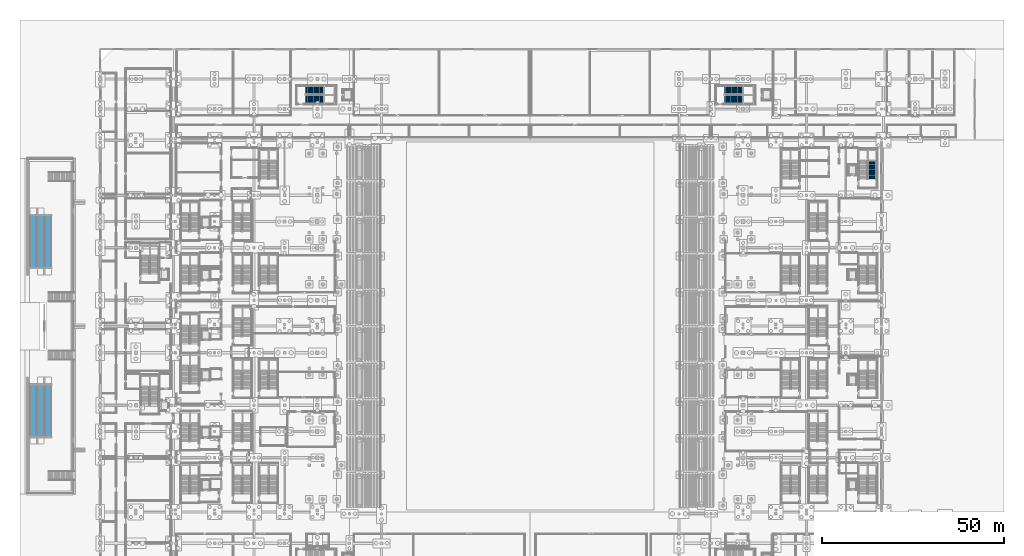
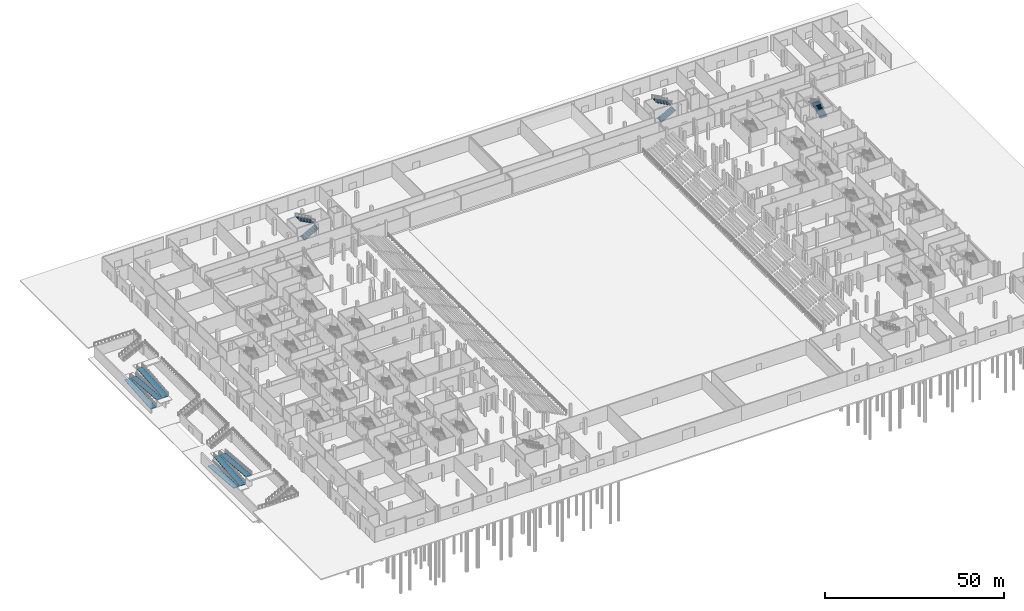
# One storey, part 55 of 89: 6 ramp flights, 5 stair flights, 9 elements without a shape of their own.
"""IFC4 building model written with IfcOpenShell, lengths in metres."""

from ifc_helpers import new_model, si_unit, direction, frame, origin, place, context, subcontext, project, spatial, polyline, outline, extrude, material, layer, layer_set, type_object, element, aggregate, save


model = new_model("IFC4")

# Units and contexts
model_context = context("Model", 3, precision=1e-05, world=origin(), true_north=direction((0.0, 1.0)))
body_context = subcontext(model_context, "Body", "Model", "MODEL_VIEW")
ifc_project = project(units=[si_unit("LENGTHUNIT", "METRE"), si_unit("AREAUNIT", "SQUARE_METRE"), si_unit("VOLUMEUNIT", "CUBIC_METRE"), si_unit("PLANEANGLEUNIT", "RADIAN"), si_unit("MASSUNIT", "GRAM", prefix="KILO")], contexts=[model_context])

# Site, building, storey
site_placement = place(None, origin())
site = spatial("IfcSite", under=ifc_project, at=site_placement, CompositionType="ELEMENT")
building_placement = place(site_placement, origin())
building = spatial("IfcBuilding", under=site, at=building_placement, Name="Koshinbarg Plaza Stadium", CompositionType="ELEMENT")
storey_placement = place(building_placement, origin())
storey = spatial("IfcBuildingStorey", under=building, at=storey_placement, Name="L00", CompositionType="ELEMENT", Elevation=0.0)

# Stair, stair flight
ifc_material = material(Name="Concrete C35/45", Category="concrete")
stair_type = type_object("IfcStairType", Name="ST-CORE-54", PredefinedType="HALF_TURN_STAIR", material=ifc_material)
stair_1_placement = place(storey_placement, origin())
stair_1 = element("IfcStair", 1, at=stair_1_placement, inside=storey, type_object=stair_type, Name="L00 Protected Exit Stair C10", PredefinedType="HALF_TURN_STAIR")
stair_flight_type = type_object("IfcStairFlightType", Name="SFL-CORE-54", PredefinedType="STRAIGHT", material=ifc_material)
stair_flight_1_placement = place(storey_placement, frame((215.889892578125, 116.360107421875, 0.0), z_axis=(0.0, 0.0, 1.0), x_axis=(0.0, 1.0, 0.0)))
stair_flight_1 = element("IfcStairFlight", 2, at=stair_flight_1_placement, type_object=stair_flight_type, Name="L00 Protected Exit Stair C10 flight 103", NumberOfRisers=17, NumberOfTreads=16, PredefinedType="STRAIGHT", RiserHeight=0.158823529, TreadLength=0.3, context=body_context, shape_type="SweptSolid", body=[
    extrude(outline(polyline([(0.0, 0.0), (0.0, 0.158935546875), (0.300048828125, 0.158935546875), (0.300048828125, 0.317626953125), (0.60009765625, 0.317626953125), (0.60009765625, 0.4765625), (0.89990234375, 0.4765625), (0.89990234375, 0.63525390625), (1.199951171875, 0.63525390625), (1.199951171875, 0.794189453125), (1.5, 0.794189453125), (1.5, 0.952880859375), (1.800048828125, 0.952880859375), (1.800048828125, 1.11181640625), (2.10009765625, 1.11181640625), (2.10009765625, 1.2705078125), (2.39990234375, 1.2705078125), (2.39990234375, 1.429443359375), (2.699951171875, 1.429443359375), (2.699951171875, 1.588134765625), (3.0, 1.588134765625), (3.0, 1.7470703125), (3.300048828125, 1.7470703125), (3.300048828125, 1.90576171875), (3.60009765625, 1.90576171875), (3.60009765625, 2.064697265625), (3.89990234375, 2.064697265625), (3.89990234375, 2.2236328125), (4.199951171875, 2.2236328125), (4.199951171875, 2.38232421875), (4.5, 2.38232421875), (4.5, 2.541259765625), (4.800048828125, 2.541259765625), (4.800048828125, 2.699951171875), (4.800048828125, 2.37158203125), (0.3203125, 0.0), (0.0, 0.0)])), frame((0.0, 1.18017578125, 0.0), z_axis=(0.0, -1.0, 0.0), x_axis=(1.0, 0.0, 0.0)), (0.0, 0.0, 1.0), 2.360107421875),
])
aggregate(stair_1, [stair_flight_1])

# Stair, stair flights
stair_2_placement = place(storey_placement, origin())
stair_2 = element("IfcStair", 3, at=stair_2_placement, inside=storey, type_object=stair_type, Name="L00 Protected Exit Stair C11", PredefinedType="HALF_TURN_STAIR")
stair_flight_2_placement = place(storey_placement, frame((60.360107421875, 138.179931640625, 0.0), z_axis=(0.0, 0.0, 1.0), x_axis=(1.0, 0.0, 0.0)))
stair_flight_2 = element("IfcStairFlight", 4, at=stair_flight_2_placement, type_object=stair_flight_type, Name="L00 Protected Exit Stair C11 flight 113", NumberOfRisers=17, NumberOfTreads=16, PredefinedType="STRAIGHT", RiserHeight=0.158823529, TreadLength=0.3, context=body_context, shape_type="SweptSolid", body=[
    extrude(outline(polyline([(0.0, 0.0), (0.0, 0.158935546875), (0.300048828125, 0.158935546875), (0.300048828125, 0.317626953125), (0.60009765625, 0.317626953125), (0.60009765625, 0.4765625), (0.89990234375, 0.4765625), (0.89990234375, 0.63525390625), (1.199951171875, 0.63525390625), (1.199951171875, 0.794189453125), (1.5, 0.794189453125), (1.5, 0.952880859375), (1.800048828125, 0.952880859375), (1.800048828125, 1.11181640625), (2.10009765625, 1.11181640625), (2.10009765625, 1.2705078125), (2.39990234375, 1.2705078125), (2.39990234375, 1.429443359375), (2.699951171875, 1.429443359375), (2.699951171875, 1.588134765625), (3.0, 1.588134765625), (3.0, 1.7470703125), (3.300048828125, 1.7470703125), (3.300048828125, 1.90576171875), (3.60009765625, 1.90576171875), (3.60009765625, 2.064697265625), (3.89990234375, 2.064697265625), (3.89990234375, 2.2236328125), (4.199951171875, 2.2236328125), (4.199951171875, 2.38232421875), (4.5, 2.38232421875), (4.5, 2.541259765625), (4.800048828125, 2.541259765625), (4.800048828125, 2.699951171875), (4.800048828125, 2.37158203125), (0.3203125, 0.0), (0.0, 0.0)])), frame((0.0, 1.18017578125, 0.0), z_axis=(0.0, -1.0, 0.0), x_axis=(1.0, 0.0, 0.0)), (0.0, 0.0, 1.0), 2.360107421875),
])
stair_flight_3_placement = place(storey_placement, frame((65.159912109375, 140.68994140625, 2.699951171875), z_axis=(0.0, 0.0, 1.0), x_axis=(-1.0, 0.0, 0.0)))
stair_flight_3 = element("IfcStairFlight", 5, at=stair_flight_3_placement, type_object=stair_flight_type, Name="L00 Protected Exit Stair C11 flight 114", NumberOfRisers=17, NumberOfTreads=16, PredefinedType="STRAIGHT", RiserHeight=0.158823529, TreadLength=0.3, context=body_context, shape_type="SweptSolid", body=[
    extrude(outline(polyline([(0.0, 0.0), (0.0, 0.158935546875), (0.300048828125, 0.158935546875), (0.300048828125, 0.317626953125), (0.60009765625, 0.317626953125), (0.60009765625, 0.4765625), (0.89990234375, 0.4765625), (0.89990234375, 0.63525390625), (1.199951171875, 0.63525390625), (1.199951171875, 0.794189453125), (1.5, 0.794189453125), (1.5, 0.952880859375), (1.800048828125, 0.952880859375), (1.800048828125, 1.11181640625), (2.10009765625, 1.11181640625), (2.10009765625, 1.2705078125), (2.39990234375, 1.2705078125), (2.39990234375, 1.429443359375), (2.699951171875, 1.429443359375), (2.699951171875, 1.588134765625), (3.0, 1.588134765625), (3.0, 1.7470703125), (3.300048828125, 1.7470703125), (3.300048828125, 1.90576171875), (3.60009765625, 1.90576171875), (3.60009765625, 2.064697265625), (3.89990234375, 2.064697265625), (3.89990234375, 2.2236328125), (4.199951171875, 2.2236328125), (4.199951171875, 2.38232421875), (4.5, 2.38232421875), (4.5, 2.541259765625), (4.800048828125, 2.541259765625), (4.800048828125, 2.699951171875), (4.800048828125, 2.37158203125), (0.3203125, 0.0), (0.0, 0.0)])), frame((0.0, 1.18017578125, 0.0), z_axis=(0.0, -1.0, 0.0), x_axis=(1.0, 0.0, 0.0)), (0.0, 0.0, 1.0), 2.360107421875),
])
aggregate(stair_2, [stair_flight_2, stair_flight_3])

stair_3_placement = place(storey_placement, origin())
stair_3 = element("IfcStair", 6, at=stair_3_placement, inside=storey, type_object=stair_type, Name="L00 Protected Exit Stair C12", PredefinedType="HALF_TURN_STAIR")
stair_flight_4_placement = place(storey_placement, frame((175.360107421875, 138.179931640625, 0.0), z_axis=(0.0, 0.0, 1.0), x_axis=(1.0, 0.0, 0.0)))
stair_flight_4 = element("IfcStairFlight", 7, at=stair_flight_4_placement, type_object=stair_flight_type, Name="L00 Protected Exit Stair C12 flight 119", NumberOfRisers=17, NumberOfTreads=16, PredefinedType="STRAIGHT", RiserHeight=0.158823529, TreadLength=0.3, context=body_context, shape_type="SweptSolid", body=[
    extrude(outline(polyline([(0.0, 0.0), (0.0, 0.158935546875), (0.300048828125, 0.158935546875), (0.300048828125, 0.317626953125), (0.60009765625, 0.317626953125), (0.60009765625, 0.4765625), (0.89990234375, 0.4765625), (0.89990234375, 0.63525390625), (1.199951171875, 0.63525390625), (1.199951171875, 0.794189453125), (1.5, 0.794189453125), (1.5, 0.952880859375), (1.800048828125, 0.952880859375), (1.800048828125, 1.11181640625), (2.10009765625, 1.11181640625), (2.10009765625, 1.2705078125), (2.39990234375, 1.2705078125), (2.39990234375, 1.429443359375), (2.699951171875, 1.429443359375), (2.699951171875, 1.588134765625), (3.0, 1.588134765625), (3.0, 1.7470703125), (3.300048828125, 1.7470703125), (3.300048828125, 1.90576171875), (3.60009765625, 1.90576171875), (3.60009765625, 2.064697265625), (3.89990234375, 2.064697265625), (3.89990234375, 2.2236328125), (4.199951171875, 2.2236328125), (4.199951171875, 2.38232421875), (4.5, 2.38232421875), (4.5, 2.541259765625), (4.800048828125, 2.541259765625), (4.800048828125, 2.699951171875), (4.800048828125, 2.37158203125), (0.3203125, 0.0), (0.0, 0.0)])), frame((0.0, 1.18017578125, 0.0), z_axis=(0.0, -1.0, 0.0), x_axis=(1.0, 0.0, 0.0)), (0.0, 0.0, 1.0), 2.360107421875),
])
stair_flight_5_placement = place(storey_placement, frame((180.159912109375, 140.68994140625, 2.699951171875), z_axis=(0.0, 0.0, 1.0), x_axis=(-1.0, 0.0, 0.0)))
stair_flight_5 = element("IfcStairFlight", 8, at=stair_flight_5_placement, type_object=stair_flight_type, Name="L00 Protected Exit Stair C12 flight 120", NumberOfRisers=17, NumberOfTreads=16, PredefinedType="STRAIGHT", RiserHeight=0.158823529, TreadLength=0.3, context=body_context, shape_type="SweptSolid", body=[
    extrude(outline(polyline([(0.0, 0.0), (0.0, 0.158935546875), (0.300048828125, 0.158935546875), (0.300048828125, 0.317626953125), (0.60009765625, 0.317626953125), (0.60009765625, 0.4765625), (0.89990234375, 0.4765625), (0.89990234375, 0.63525390625), (1.199951171875, 0.63525390625), (1.199951171875, 0.794189453125), (1.5, 0.794189453125), (1.5, 0.952880859375), (1.800048828125, 0.952880859375), (1.800048828125, 1.11181640625), (2.10009765625, 1.11181640625), (2.10009765625, 1.2705078125), (2.39990234375, 1.2705078125), (2.39990234375, 1.429443359375), (2.699951171875, 1.429443359375), (2.699951171875, 1.588134765625), (3.0, 1.588134765625), (3.0, 1.7470703125), (3.300048828125, 1.7470703125), (3.300048828125, 1.90576171875), (3.60009765625, 1.90576171875), (3.60009765625, 2.064697265625), (3.89990234375, 2.064697265625), (3.89990234375, 2.2236328125), (4.199951171875, 2.2236328125), (4.199951171875, 2.38232421875), (4.5, 2.38232421875), (4.5, 2.541259765625), (4.800048828125, 2.541259765625), (4.800048828125, 2.699951171875), (4.800048828125, 2.37158203125), (0.3203125, 0.0), (0.0, 0.0)])), frame((0.0, 1.18017578125, 0.0), z_axis=(0.0, -1.0, 0.0), x_axis=(1.0, 0.0, 0.0)), (0.0, 0.0, 1.0), 2.360107421875),
])
aggregate(stair_3, [stair_flight_4, stair_flight_5])

# Ramp, ramp flight
ramp_type = type_object("IfcRampType", Name="RMP-FORECOURT", PredefinedType="STRAIGHT_RUN_RAMP", material=ifc_material)
ramp_1_placement = place(storey_placement, origin())
ramp_1 = element("IfcRamp", 9, at=ramp_1_placement, inside=storey, type_object=ramp_type, Name="Metro forecourt accessible pedestrian ramp RMP-FC-N1", PredefinedType="STRAIGHT_RUN_RAMP")
ifc_layer = layer(ifc_material, 0.219970703125)
ifc_layer_set = layer_set([ifc_layer], Name="Concrete C35/45")
ramp_flight_type = type_object("IfcRampFlightType", Name="RFL-FORECOURT-220", PredefinedType="STRAIGHT", material=ifc_layer_set)
ramp_flight_1_placement = place(storey_placement, frame((-15.199951171875, 92.0, -3.60009765625), z_axis=(0.0, -0.083059462528, 0.996544592923), x_axis=(1.0, 0.0, 0.0)))
ramp_flight_1 = element("IfcRampFlight", 10, at=ramp_flight_1_placement, type_object=ramp_flight_type, Name="RMP-FC-N1 accessible ramp flight", PredefinedType="STRAIGHT", context=body_context, shape_type="SweptSolid", body=[
    extrude(outline(polyline([(0.0, 0.0), (1.800048828125, 0.0), (1.800048828125, 14.449832396871729), (0.0, 14.449832396871729), (0.0, 0.0)])), origin(), (0.0, 0.0, -1.0), 0.219970703125),
])
aggregate(ramp_1, [ramp_flight_1])

ramp_2_placement = place(storey_placement, origin())
ramp_2 = element("IfcRamp", 11, at=ramp_2_placement, inside=storey, type_object=ramp_type, Name="Metro forecourt accessible pedestrian ramp RMP-FC-N2", PredefinedType="STRAIGHT_RUN_RAMP")
ramp_flight_2_placement = place(storey_placement, frame((-11.39990234375, 106.39990234375, -2.39990234375), z_axis=(0.0, 0.083042683313, 0.996545991286), x_axis=(-1.0, 0.0, 0.0)))
ramp_flight_2 = element("IfcRampFlight", 12, at=ramp_flight_2_placement, type_object=ramp_flight_type, Name="RMP-FC-N2 accessible ramp flight", PredefinedType="STRAIGHT", context=body_context, shape_type="SweptSolid", body=[
    extrude(outline(polyline([(0.0, 0.0), (1.800048828125, 0.0), (1.800048828125, 14.449812120730876), (0.0, 14.449812120730876), (0.0, 0.0)])), origin(), (0.0, 0.0, -1.0), 0.219970703125),
])
aggregate(ramp_2, [ramp_flight_2])

ramp_3_placement = place(storey_placement, origin())
ramp_3 = element("IfcRamp", 13, at=ramp_3_placement, inside=storey, type_object=ramp_type, Name="Metro forecourt accessible pedestrian ramp RMP-FC-N3", PredefinedType="STRAIGHT_RUN_RAMP")
ramp_flight_3_placement = place(storey_placement, frame((-11.199951171875, 92.0, -1.199951171875), z_axis=(0.0, -0.083042683313, 0.996545991286), x_axis=(1.0, 0.0, 0.0)))
ramp_flight_3 = element("IfcRampFlight", 14, at=ramp_flight_3_placement, type_object=ramp_flight_type, Name="RMP-FC-N3 accessible ramp flight", PredefinedType="STRAIGHT", context=body_context, shape_type="SweptSolid", body=[
    extrude(outline(polyline([(0.0, 0.0), (1.800048828125, 0.0), (1.800048828125, 14.449812120730876), (0.0, 14.449812120730876), (0.0, 0.0)])), origin(), (0.0, 0.0, -1.0), 0.219970703125),
])
aggregate(ramp_3, [ramp_flight_3])

ramp_4_placement = place(storey_placement, origin())
ramp_4 = element("IfcRamp", 15, at=ramp_4_placement, inside=storey, type_object=ramp_type, Name="Metro forecourt accessible pedestrian ramp RMP-FC-S1", PredefinedType="STRAIGHT_RUN_RAMP")
ramp_flight_4_placement = place(storey_placement, frame((-13.39990234375, 60.0, -3.60009765625), z_axis=(0.0, 0.083059462528, 0.996544592923), x_axis=(-1.0, 0.0, 0.0)))
ramp_flight_4 = element("IfcRampFlight", 16, at=ramp_flight_4_placement, type_object=ramp_flight_type, Name="RMP-FC-S1 accessible ramp flight", PredefinedType="STRAIGHT", context=body_context, shape_type="SweptSolid", body=[
    extrude(outline(polyline([(0.0, 0.0), (1.800048828125, 0.0), (1.800048828125, 14.449832396871729), (0.0, 14.449832396871729), (0.0, 0.0)])), origin(), (0.0, 0.0, -1.0), 0.219970703125),
])
aggregate(ramp_4, [ramp_flight_4])

ramp_5_placement = place(storey_placement, origin())
ramp_5 = element("IfcRamp", 17, at=ramp_5_placement, inside=storey, type_object=ramp_type, Name="Metro forecourt accessible pedestrian ramp RMP-FC-S2", PredefinedType="STRAIGHT_RUN_RAMP")
ramp_flight_5_placement = place(storey_placement, frame((-13.199951171875, 45.60009765625, -2.39990234375), z_axis=(0.0, -0.083042683313, 0.996545991286), x_axis=(1.0, 0.0, 0.0)))
ramp_flight_5 = element("IfcRampFlight", 18, at=ramp_flight_5_placement, type_object=ramp_flight_type, Name="RMP-FC-S2 accessible ramp flight", PredefinedType="STRAIGHT", context=body_context, shape_type="SweptSolid", body=[
    extrude(outline(polyline([(0.0, 0.0), (1.800048828125, 0.0), (1.800048828125, 14.449812120730876), (0.0, 14.449812120730876), (0.0, 0.0)])), origin(), (0.0, 0.0, -1.0), 0.219970703125),
])
aggregate(ramp_5, [ramp_flight_5])

ramp_6_placement = place(storey_placement, origin())
ramp_6 = element("IfcRamp", 19, at=ramp_6_placement, inside=storey, type_object=ramp_type, Name="Metro forecourt accessible pedestrian ramp RMP-FC-S3", PredefinedType="STRAIGHT_RUN_RAMP")
ramp_flight_6_placement = place(storey_placement, frame((-9.39990234375, 60.0, -1.199951171875), z_axis=(0.0, 0.083042683313, 0.996545991286), x_axis=(-1.0, 0.0, 0.0)))
ramp_flight_6 = element("IfcRampFlight", 20, at=ramp_flight_6_placement, type_object=ramp_flight_type, Name="RMP-FC-S3 accessible ramp flight", PredefinedType="STRAIGHT", context=body_context, shape_type="SweptSolid", body=[
    extrude(outline(polyline([(0.0, 0.0), (1.800048828125, 0.0), (1.800048828125, 14.449812120730876), (0.0, 14.449812120730876), (0.0, 0.0)])), origin(), (0.0, 0.0, -1.0), 0.219970703125),
])
aggregate(ramp_6, [ramp_flight_6])

save(model, "model.ifc")
